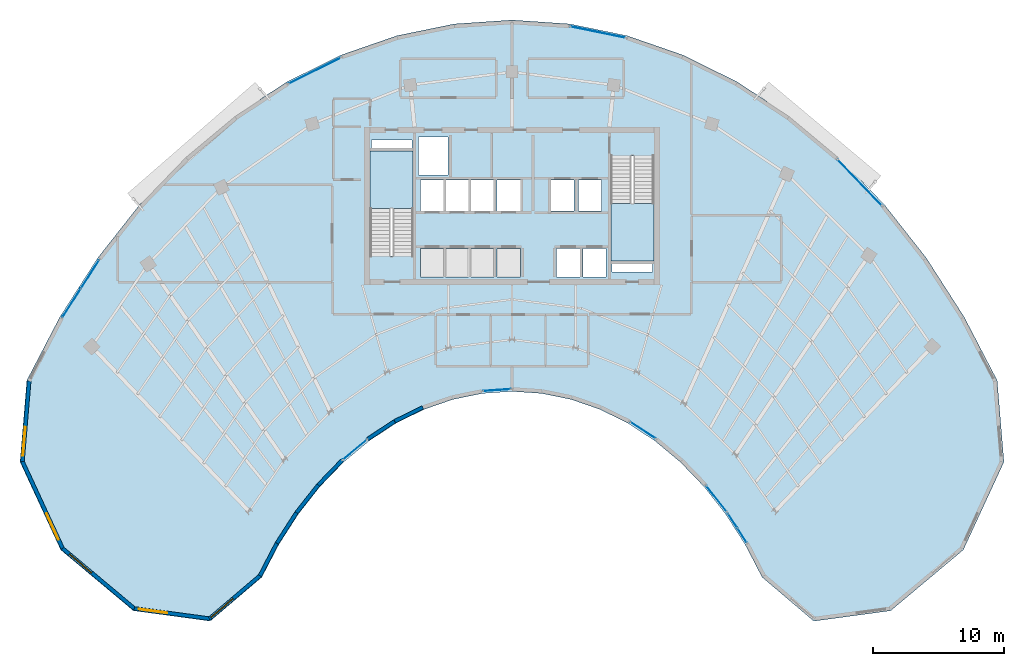
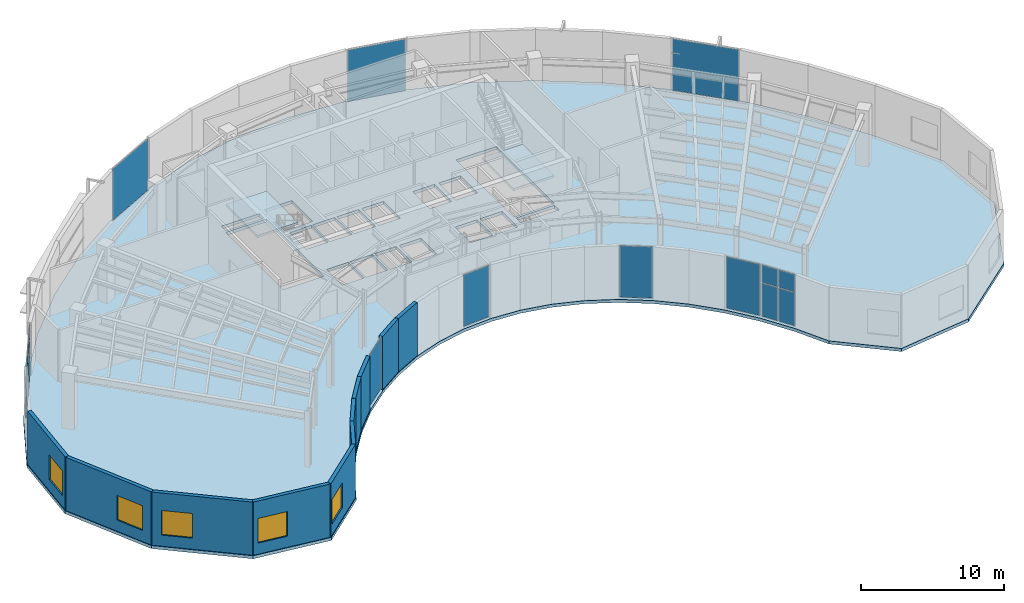
# One storey, part 7 of 15: 15 plates, 11 walls, 5 windows, 3 slabs, 5 openings, 11 elements without a shape of their own.
"""IFC4 building model written with IfcOpenShell, lengths in metres."""

from ifc_helpers import new_model, si_unit, direction, frame, frame_2d, origin, origin_2d, place, context, subcontext, project, spatial, polyline, rectangle, outline, extrude, source, transform, mapped, material, layer, layer_set, type_object, type_shapes, element, fill, aggregate, save


model = new_model("IFC4")

# Units and contexts
model_context = context("Model", 3, precision=1e-05, world=origin(), true_north=direction((0.0, 1.0)))
body_context = subcontext(model_context, "Body", "Model", "MODEL_VIEW")
ifc_project = project(units=[si_unit("LENGTHUNIT", "METRE"), si_unit("AREAUNIT", "SQUARE_METRE"), si_unit("VOLUMEUNIT", "CUBIC_METRE"), si_unit("PLANEANGLEUNIT", "RADIAN"), si_unit("MASSUNIT", "GRAM", prefix="KILO")], contexts=[model_context])

# Site, building, storey
site_placement = place(None, origin())
site = spatial("IfcSite", under=ifc_project, at=site_placement, CompositionType="ELEMENT")
building_placement = place(site_placement, origin())
building = spatial("IfcBuilding", under=site, at=building_placement, Name="Breltana Convention Tower", CompositionType="ELEMENT")
storey_placement = place(building_placement, frame((0.0, 0.0, 199.199951171875)))
storey = spatial("IfcBuildingStorey", under=building, at=storey_placement, Name="L48", CompositionType="ELEMENT", Elevation=199.199951171875)

# Stair, slab
ifc_material_1 = material(Name="Concrete C40/50", Category="concrete")
stair_type = type_object("IfcStairType", Name="ST-DOG-1560-R171", PredefinedType="HALF_TURN_STAIR", material=ifc_material_1)
stair_1_placement = place(storey_placement, origin())
stair_1 = element("IfcStair", 1, at=stair_1_placement, inside=storey, type_object=stair_type, Name="L48 Protected Core Exit Stair ST-1", PredefinedType="HALF_TURN_STAIR")
ifc_layer_1 = layer(ifc_material_1, 0.199951171875, Name="Concrete C40/50")
ifc_layer_set_1 = layer_set([ifc_layer_1], Name="Concrete C40/50")
slab_type_1 = type_object("IfcSlabType", Name="SL-STAIR-LANDING-200", PredefinedType="LANDING", material=ifc_layer_set_1)
slab_1_placement = place(storey_placement, frame((0.0, 0.0, 2.199951171875)))
slab_1 = element("IfcSlab", 2, at=slab_1_placement, type_object=slab_type_1, Name="ST-1 landing 1", PredefinedType="LANDING", context=body_context, shape_type="SweptSolid", body=[
    extrude(outline(polyline([(40.469970703125, 66.0), (40.469970703125, 70.39990234375), (37.199951171875, 70.39990234375), (37.199951171875, 66.0), (40.469970703125, 66.0)])), origin(), (0.0, 0.0, 1.0), 0.2001953125),
])
aggregate(stair_1, [slab_1])

stair_2_placement = place(storey_placement, origin())
stair_2 = element("IfcStair", 3, at=stair_2_placement, inside=storey, type_object=stair_type, Name="L48 Protected Core Exit Stair ST-2", PredefinedType="HALF_TURN_STAIR")
slab_2_placement = place(storey_placement, frame((0.0, 0.0, 2.199951171875)))
slab_2 = element("IfcSlab", 4, at=slab_2_placement, type_object=slab_type_1, Name="ST-2 landing 1", PredefinedType="LANDING", context=body_context, shape_type="SweptSolid", body=[
    extrude(outline(polyline([(55.530029296875, 66.39990234375), (55.530029296875, 62.0), (58.800048828125, 62.0), (58.800048828125, 66.39990234375), (55.530029296875, 66.39990234375)])), origin(), (0.0, 0.0, 1.0), 0.2001953125),
])
aggregate(stair_2, [slab_2])

# Slab
ifc_layer_2 = layer(ifc_material_1, 0.260009765625, Name="Concrete C40/50")
ifc_layer_set_2 = layer_set([ifc_layer_2], Name="Concrete C40/50")
slab_type_2 = type_object("IfcSlabType", Name="SL-UPP-260", PredefinedType="FLOOR", material=ifc_layer_set_2)
slab_3_placement = place(storey_placement, frame((0.0, 0.0, -0.260009765625)))
element("IfcSlab", 5, at=slab_3_placement, inside=storey, type_object=slab_type_2, Name="L48 Suspended Structural Floor Slab", PredefinedType="FLOOR", context=body_context, shape_type="SweptSolid", body=[
    extrude(outline(polyline([(84.9326171875, 52.924560546875), (82.411376953125, 57.767333984375), (79.53759765625, 62.244140625), (76.34130859375, 66.308837890625), (72.8544921875, 69.919921875), (69.113525390625, 73.040283203125), (65.15625, 75.637939453125), (61.023193359375, 77.6865234375), (56.7568359375, 79.1650390625), (52.40087890625, 80.058349609375), (48.0, 80.35693359375), (43.59912109375, 80.058349609375), (39.2431640625, 79.1650390625), (34.976806640625, 77.6865234375), (30.84375, 75.637939453125), (26.886474609375, 73.040283203125), (23.1455078125, 69.919921875), (19.65869140625, 66.308837890625), (16.46240234375, 62.244140625), (13.588623046875, 57.767333984375), (11.0673828125, 52.924560546875), (10.548583984375, 46.716796875), (13.645263671875, 40.0185546875), (19.1748046875, 35.388427734375), (25.02490234375, 34.59521484375), (28.961181640625, 37.941650390625), (30.260986328125, 40.43798828125), (31.7421875, 42.745849609375), (33.39013671875, 44.84130859375), (35.1875, 46.70263671875), (37.115966796875, 48.311279296875), (39.156005859375, 49.650390625), (41.28662109375, 50.706298828125), (43.48583984375, 51.468505859375), (45.731201171875, 51.928955078125), (48.0, 52.0830078125), (50.268798828125, 51.928955078125), (52.51416015625, 51.468505859375), (54.71337890625, 50.706298828125), (56.843994140625, 49.650390625), (58.884033203125, 48.311279296875), (60.8125, 46.70263671875), (62.60986328125, 44.84130859375), (64.2578125, 42.745849609375), (65.739013671875, 40.43798828125), (67.038818359375, 37.941650390625), (70.97509765625, 34.59521484375), (76.8251953125, 35.388427734375), (82.354736328125, 40.0185546875), (85.451416015625, 46.716796875), (84.9326171875, 52.924560546875)]), holes=[polyline([(37.199951171875, 62.385009765625), (40.469970703125, 62.385009765625), (40.469970703125, 70.39990234375), (37.199951171875, 70.39990234375), (37.199951171875, 62.385009765625)]), polyline([(55.530029296875, 62.0), (58.800048828125, 62.0), (58.800048828125, 70.014892578125), (55.530029296875, 70.014892578125), (55.530029296875, 62.0)]), polyline([(41.0400390625, 60.800048828125), (42.800048828125, 60.800048828125), (42.800048828125, 62.97998046875), (41.0400390625, 62.97998046875), (41.0400390625, 60.800048828125)]), polyline([(42.93994140625, 60.800048828125), (44.699951171875, 60.800048828125), (44.699951171875, 62.97998046875), (42.93994140625, 62.97998046875), (42.93994140625, 60.800048828125)]), polyline([(44.8701171875, 60.800048828125), (46.6298828125, 60.800048828125), (46.6298828125, 62.97998046875), (44.8701171875, 62.97998046875), (44.8701171875, 60.800048828125)]), polyline([(46.8701171875, 60.800048828125), (48.6298828125, 60.800048828125), (48.6298828125, 62.97998046875), (46.8701171875, 62.97998046875), (46.8701171875, 60.800048828125)]), polyline([(51.39990234375, 60.800048828125), (53.159912109375, 60.800048828125), (53.159912109375, 62.97998046875), (51.39990234375, 62.97998046875), (51.39990234375, 60.800048828125)]), polyline([(53.39990234375, 60.800048828125), (55.159912109375, 60.800048828125), (55.159912109375, 62.97998046875), (53.39990234375, 62.97998046875), (53.39990234375, 60.800048828125)]), polyline([(41.0400390625, 65.820068359375), (42.800048828125, 65.820068359375), (42.800048828125, 68.179931640625), (41.0400390625, 68.179931640625), (41.0400390625, 65.820068359375)]), polyline([(42.93994140625, 65.820068359375), (44.699951171875, 65.820068359375), (44.699951171875, 68.179931640625), (42.93994140625, 68.179931640625), (42.93994140625, 65.820068359375)]), polyline([(44.8701171875, 65.820068359375), (46.6298828125, 65.820068359375), (46.6298828125, 68.179931640625), (44.8701171875, 68.179931640625), (44.8701171875, 65.820068359375)]), polyline([(46.8701171875, 65.820068359375), (48.6298828125, 65.820068359375), (48.6298828125, 68.179931640625), (46.8701171875, 68.179931640625), (46.8701171875, 65.820068359375)]), polyline([(50.969970703125, 65.800048828125), (52.72998046875, 65.800048828125), (52.72998046875, 68.179931640625), (50.969970703125, 68.179931640625), (50.969970703125, 65.800048828125)]), polyline([(53.070068359375, 65.800048828125), (54.830078125, 65.800048828125), (54.830078125, 68.179931640625), (53.070068359375, 68.179931640625), (53.070068359375, 65.800048828125)]), polyline([(40.8798828125, 68.550048828125), (43.1201171875, 68.550048828125), (43.1201171875, 71.449951171875), (40.8798828125, 71.449951171875), (40.8798828125, 68.550048828125)]), polyline([(37.300048828125, 70.60009765625), (40.3798828125, 70.60009765625), (40.3798828125, 71.219970703125), (37.300048828125, 71.219970703125), (37.300048828125, 70.60009765625)]), polyline([(55.6201171875, 61.179931640625), (58.699951171875, 61.179931640625), (58.699951171875, 61.800048828125), (55.6201171875, 61.800048828125), (55.6201171875, 61.179931640625)])]), origin(), (0.0, 0.0, 1.0), 0.260009765625),
])

# Curtain wall, plates
ifc_material_2 = material(Name="Aluminium Anodised Bronze Frame", Category="aluminium")
ifc_layer_3 = layer(ifc_material_2, 0.18994140625, Name="Aluminium Anodised Bronze Frame")
ifc_layer_set_3 = layer_set([ifc_layer_3], Name="Aluminium Anodised Bronze Frame")
curtain_wall_type_1 = type_object("IfcCurtainWallType", Name="CW-SYS-1", PredefinedType="NOTDEFINED", material=ifc_layer_set_3)
curtain_wall_1_placement = place(storey_placement, origin())
curtain_wall_1 = element("IfcCurtainWall", 6, at=curtain_wall_1_placement, inside=storey, type_object=curtain_wall_type_1, Name="L48 inner south-court glazing 1", PredefinedType="NOTDEFINED")
ifc_material_3 = material(Name="Glass Low-E Double Glazing", Category="glass")
ifc_layer_4 = layer(ifc_material_3, 0.028076171875, Name="Glass Low-E Double Glazing")
ifc_layer_set_4 = layer_set([ifc_layer_4], Name="Glass Low-E Double Glazing")
plate_type_1 = type_object("IfcPlateType", Name="CWP-IGU-28", PredefinedType="CURTAIN_PANEL", material=ifc_layer_set_4)
shared_shape_1 = source(origin(), body_context, "Body", "SweptSolid", [
    extrude(rectangle(XDim=1.251220703125, YDim=0.028076171875, at=origin_2d()), origin(), (0.0, 0.0, 1.0), 2.8310546875),
])
plate_1_placement = place(storey_placement, frame((65.50927734375, 41.129150390625, 0.080078125), z_axis=(0.0, 0.0, 1.0), x_axis=(-0.540184263938, 0.841546766968, 0.0)))
plate_1 = element("IfcPlate", 7, at=plate_1_placement, type_object=plate_type_1, Name="CW-01 panel 1.1", PredefinedType="CURTAIN_PANEL", context=body_context, shape_type="MappedRepresentation", body=[
    mapped(shared_shape_1, transform((0.0, 0.0, 0.0), scale=1.0)),
])
plate_2_placement = place(storey_placement, frame((64.790283203125, 42.249267578125, 0.080078125), z_axis=(0.0, 0.0, 1.0), x_axis=(-0.540184263938, 0.841546766968, 0.0)))
plate_2 = element("IfcPlate", 8, at=plate_2_placement, type_object=plate_type_1, Name="CW-01 panel 2.1", PredefinedType="CURTAIN_PANEL", context=body_context, shape_type="MappedRepresentation", body=[
    mapped(shared_shape_1, transform((0.0, 0.0, 0.0), scale=1.0)),
])
shared_shape_2 = source(origin(), body_context, "Body", "SweptSolid", [
    extrude(rectangle(XDim=1.251220703125, YDim=0.028076171875, at=origin_2d()), origin(), (0.0, 0.0, 1.0), 1.468994140625),
])
plate_3_placement = place(storey_placement, frame((65.50927734375, 41.129150390625, 2.9912109375), z_axis=(0.0, 0.0, 1.0), x_axis=(-0.540184263938, 0.841546766968, 0.0)))
plate_3 = element("IfcPlate", 9, at=plate_3_placement, type_object=plate_type_1, Name="CW-01 panel 1.2", PredefinedType="CURTAIN_PANEL", context=body_context, shape_type="MappedRepresentation", body=[
    mapped(shared_shape_2, transform((0.0, 0.0, 0.0), scale=1.0)),
])
plate_4_placement = place(storey_placement, frame((64.790283203125, 42.249267578125, 2.9912109375), z_axis=(0.0, 0.0, 1.0), x_axis=(-0.540184263938, 0.841546766968, 0.0)))
plate_4 = element("IfcPlate", 10, at=plate_4_placement, type_object=plate_type_1, Name="CW-01 panel 2.2", PredefinedType="CURTAIN_PANEL", context=body_context, shape_type="MappedRepresentation", body=[
    mapped(shared_shape_2, transform((0.0, 0.0, 0.0), scale=1.0)),
])
aggregate(curtain_wall_1, [plate_1, plate_3, plate_2, plate_4])

# Curtain wall, plate
curtain_wall_2_placement = place(storey_placement, origin())
curtain_wall_2 = element("IfcCurtainWall", 11, at=curtain_wall_2_placement, inside=storey, type_object=curtain_wall_type_1, Name="L48 inner south-court glazing 2", PredefinedType="NOTDEFINED")
shared_shape_3 = source(origin(), body_context, "Body", "SweptSolid", [
    extrude(rectangle(XDim=2.505615234375, YDim=0.028076171875, at=origin_2d()), origin(), (0.0, 0.0, 1.0), 4.3798828125),
])
plate_5_placement = place(storey_placement, frame((63.5751953125, 43.90478515625, 0.080078125), z_axis=(0.0, 0.0, 1.0), x_axis=(-0.6181495353, 0.786060526937, 0.0)))
plate_5 = element("IfcPlate", 12, at=plate_5_placement, type_object=plate_type_1, Name="CW-01 panel 1.1", PredefinedType="CURTAIN_PANEL", context=body_context, shape_type="MappedRepresentation", body=[
    mapped(shared_shape_3, transform((0.0, 0.0, 0.0), scale=1.0)),
])
aggregate(curtain_wall_2, [plate_5])

curtain_wall_3_placement = place(storey_placement, origin())
curtain_wall_3 = element("IfcCurtainWall", 13, at=curtain_wall_3_placement, inside=storey, type_object=curtain_wall_type_1, Name="L48 inner south-court glazing 3", PredefinedType="NOTDEFINED")
shared_shape_4 = source(origin(), body_context, "Body", "SweptSolid", [
    extrude(rectangle(XDim=2.2802734375, YDim=0.028076171875, at=origin_2d()), origin(), (0.0, 0.0, 1.0), 4.3798828125),
])
plate_6_placement = place(storey_placement, frame((57.962890625, 49.13134765625, 0.080078125), z_axis=(0.0, 0.0, 1.0), x_axis=(-0.835982113821, 0.548756690502, 0.0)))
plate_6 = element("IfcPlate", 14, at=plate_6_placement, type_object=plate_type_1, Name="CW-01 panel 1.1", PredefinedType="CURTAIN_PANEL", context=body_context, shape_type="MappedRepresentation", body=[
    mapped(shared_shape_4, transform((0.0, 0.0, 0.0), scale=1.0)),
])
aggregate(curtain_wall_3, [plate_6])

curtain_wall_4_placement = place(storey_placement, origin())
curtain_wall_4 = element("IfcCurtainWall", 15, at=curtain_wall_4_placement, inside=storey, type_object=curtain_wall_type_1, Name="L48 inner south-court glazing 4", PredefinedType="NOTDEFINED")
shared_shape_5 = source(origin(), body_context, "Body", "SweptSolid", [
    extrude(rectangle(XDim=2.114013671875, YDim=0.028076171875, at=origin_2d()), origin(), (0.0, 0.0, 1.0), 4.3798828125),
])
plate_7_placement = place(storey_placement, frame((46.853515625, 52.185546875, 0.080078125), z_axis=(0.0, 0.0, 1.0), x_axis=(-0.997704064785, -0.067724435121, 0.0)))
plate_7 = element("IfcPlate", 16, at=plate_7_placement, type_object=plate_type_1, Name="CW-01 panel 1.1", PredefinedType="CURTAIN_PANEL", context=body_context, shape_type="MappedRepresentation", body=[
    mapped(shared_shape_5, transform((0.0, 0.0, 0.0), scale=1.0)),
])
aggregate(curtain_wall_4, [plate_7])

curtain_wall_5_placement = place(storey_placement, origin())
curtain_wall_5 = element("IfcCurtainWall", 17, at=curtain_wall_5_placement, inside=storey, type_object=curtain_wall_type_1, Name="L48 inner south-court glazing 5", PredefinedType="NOTDEFINED")
shared_shape_6 = source(origin(), body_context, "Body", "SweptSolid", [
    extrude(rectangle(XDim=2.351318359375, YDim=0.028076171875, at=origin_2d()), origin(), (0.0, 0.0, 1.0), 4.3798828125),
])
plate_8_placement = place(storey_placement, frame((36.036376953125, 47.64501953125, 0.080078125), z_axis=(0.0, 0.0, 1.0), x_axis=(-0.767924180628, -0.640540750309, 0.0)))
plate_8 = element("IfcPlate", 18, at=plate_8_placement, type_object=plate_type_1, Name="CW-01 panel 1.1", PredefinedType="CURTAIN_PANEL", context=body_context, shape_type="MappedRepresentation", body=[
    mapped(shared_shape_6, transform((0.0, 0.0, 0.0), scale=1.0)),
])
aggregate(curtain_wall_5, [plate_8])

# Curtain wall, plates
ifc_layer_5 = layer(ifc_material_2, 0.239990234375, Name="Aluminium Anodised Bronze Frame")
ifc_layer_set_5 = layer_set([ifc_layer_5], Name="Aluminium Anodised Bronze Frame")
curtain_wall_type_2 = type_object("IfcCurtainWallType", Name="CW-SYS-6", PredefinedType="NOTDEFINED", material=ifc_layer_set_5)
curtain_wall_6_placement = place(storey_placement, origin())
curtain_wall_6 = element("IfcCurtainWall", 19, at=curtain_wall_6_placement, inside=storey, type_object=curtain_wall_type_2, Name="L48 outer double-skin inner glazing 1", PredefinedType="NOTDEFINED")
ifc_layer_6 = layer(ifc_material_3, 0.035888671875, Name="Glass Low-E Double Glazing")
ifc_layer_set_6 = layer_set([ifc_layer_6], Name="Glass Low-E Double Glazing")
plate_type_2 = type_object("IfcPlateType", Name="CWP-IGU-36", PredefinedType="CURTAIN_PANEL", material=ifc_layer_set_6)
shared_shape_7 = source(origin(), body_context, "Body", "SweptSolid", [
    extrude(rectangle(XDim=2.531494140625, YDim=0.035888671875, at=origin_2d()), origin(), (0.0, 0.0, 1.0), 2.8310546875),
])
plate_9_placement = place(storey_placement, frame((14.471435546875, 58.8095703125, 0.080078125), z_axis=(0.0, 0.0, 1.0), x_axis=(0.540181791075, 0.84154835428, 0.0)))
plate_9 = element("IfcPlate", 20, at=plate_9_placement, type_object=plate_type_2, Name="CW-06 panel 1.1", PredefinedType="CURTAIN_PANEL", context=body_context, shape_type="MappedRepresentation", body=[
    mapped(shared_shape_7, transform((0.0, 0.0, 0.0), scale=1.0)),
])
plate_10_placement = place(storey_placement, frame((15.882080078125, 61.007080078125, 0.080078125), z_axis=(0.0, 0.0, 1.0), x_axis=(0.540181791075, 0.84154835428, 0.0)))
plate_10 = element("IfcPlate", 21, at=plate_10_placement, type_object=plate_type_2, Name="CW-06 panel 2.1", PredefinedType="CURTAIN_PANEL", context=body_context, shape_type="MappedRepresentation", body=[
    mapped(shared_shape_7, transform((0.0, 0.0, 0.0), scale=1.0)),
])
shared_shape_8 = source(origin(), body_context, "Body", "SweptSolid", [
    extrude(rectangle(XDim=2.531494140625, YDim=0.035888671875, at=origin_2d()), origin(), (0.0, 0.0, 1.0), 1.468994140625),
])
plate_11_placement = place(storey_placement, frame((14.471435546875, 58.8095703125, 2.9912109375), z_axis=(0.0, 0.0, 1.0), x_axis=(0.540181791075, 0.84154835428, 0.0)))
plate_11 = element("IfcPlate", 22, at=plate_11_placement, type_object=plate_type_2, Name="CW-06 panel 1.2", PredefinedType="CURTAIN_PANEL", context=body_context, shape_type="MappedRepresentation", body=[
    mapped(shared_shape_8, transform((0.0, 0.0, 0.0), scale=1.0)),
])
plate_12_placement = place(storey_placement, frame((15.882080078125, 61.007080078125, 2.9912109375), z_axis=(0.0, 0.0, 1.0), x_axis=(0.540181791075, 0.84154835428, 0.0)))
plate_12 = element("IfcPlate", 23, at=plate_12_placement, type_object=plate_type_2, Name="CW-06 panel 2.2", PredefinedType="CURTAIN_PANEL", context=body_context, shape_type="MappedRepresentation", body=[
    mapped(shared_shape_8, transform((0.0, 0.0, 0.0), scale=1.0)),
])
aggregate(curtain_wall_6, [plate_9, plate_11, plate_10, plate_12])

# Curtain wall, plate
curtain_wall_7_placement = place(storey_placement, origin())
curtain_wall_7 = element("IfcCurtainWall", 24, at=curtain_wall_7_placement, inside=storey, type_object=curtain_wall_type_2, Name="L48 outer double-skin inner glazing 2", PredefinedType="NOTDEFINED")
shared_shape_9 = source(origin(), body_context, "Body", "SweptSolid", [
    extrude(rectangle(XDim=4.430419921875, YDim=0.035888671875, at=origin_2d()), origin(), (0.0, 0.0, 1.0), 4.3798828125),
])
plate_13_placement = place(storey_placement, frame((32.989990234375, 76.5009765625, 0.080078125), z_axis=(0.0, 0.0, 1.0), x_axis=(0.895972827235, 0.444108875003, 0.0)))
plate_13 = element("IfcPlate", 25, at=plate_13_placement, type_object=plate_type_2, Name="CW-06 panel 1.1", PredefinedType="CURTAIN_PANEL", context=body_context, shape_type="MappedRepresentation", body=[
    mapped(shared_shape_9, transform((0.0, 0.0, 0.0), scale=1.0)),
])
aggregate(curtain_wall_7, [plate_13])

curtain_wall_8_placement = place(storey_placement, origin())
curtain_wall_8 = element("IfcCurtainWall", 26, at=curtain_wall_8_placement, inside=storey, type_object=curtain_wall_type_2, Name="L48 outer double-skin inner glazing 3", PredefinedType="NOTDEFINED")
shared_shape_10 = source(origin(), body_context, "Body", "SweptSolid", [
    extrude(rectangle(XDim=4.262451171875, YDim=0.035888671875, at=origin_2d()), origin(), (0.0, 0.0, 1.0), 4.3798828125),
])
plate_14_placement = place(storey_placement, frame((54.54296875, 79.435302734375, 0.080078125), z_axis=(0.0, 0.0, 1.0), x_axis=(0.979615937236, -0.200879604523, 0.0)))
plate_14 = element("IfcPlate", 27, at=plate_14_placement, type_object=plate_type_2, Name="CW-06 panel 1.1", PredefinedType="CURTAIN_PANEL", context=body_context, shape_type="MappedRepresentation", body=[
    mapped(shared_shape_10, transform((0.0, 0.0, 0.0), scale=1.0)),
])
aggregate(curtain_wall_8, [plate_14])

curtain_wall_9_placement = place(storey_placement, origin())
curtain_wall_9 = element("IfcCurtainWall", 28, at=curtain_wall_9_placement, inside=storey, type_object=curtain_wall_type_2, Name="L48 outer double-skin inner glazing 4", PredefinedType="NOTDEFINED")
shared_shape_11 = source(origin(), body_context, "Body", "SweptSolid", [
    extrude(rectangle(XDim=4.8408203125, YDim=0.035888671875, at=origin_2d()), origin(), (0.0, 0.0, 1.0), 4.3798828125),
])
plate_15_placement = place(storey_placement, frame((74.46875, 67.989013671875, 0.080078125), z_axis=(0.0, 0.0, 1.0), x_axis=(0.694599866751, -0.719396292115, 0.0)))
plate_15 = element("IfcPlate", 29, at=plate_15_placement, type_object=plate_type_2, Name="CW-06 panel 1.1", PredefinedType="CURTAIN_PANEL", context=body_context, shape_type="MappedRepresentation", body=[
    mapped(shared_shape_11, transform((0.0, 0.0, 0.0), scale=1.0)),
])
aggregate(curtain_wall_9, [plate_15])

# Wall, opening, window
ifc_material_4 = material(Name="Limestone Buff Insulated Wall", Category="masonry")
ifc_layer_7 = layer(ifc_material_4, 0.280029296875, Name="Limestone Buff Insulated Wall")
ifc_layer_set_7 = layer_set([ifc_layer_7], Name="Limestone Buff Insulated Wall")
wall_type = type_object("IfcWallType", Name="WL-EXT-NOSE-280", PredefinedType="SOLIDWALL", material=ifc_layer_set_7)
shared_shape_12 = source(origin(), body_context, "Body", "SweptSolid", [
    extrude(rectangle(XDim=6.145751953125, YDim=0.280029296875, at=frame_2d((3.07275390625, 0.0))), origin(), (0.0, 0.0, 1.0), 4.5400390625),
])
wall_1_placement = place(storey_placement, frame((10.73193359375, 46.7490234375, 0.0), z_axis=(0.0, 0.0, 1.0), x_axis=(0.083301904456, 0.996524356307, 0.0)))
wall_1 = element("IfcWall", 30, at=wall_1_placement, inside=storey, type_object=wall_type, Name="L48 curved limestone nose wall W6", PredefinedType="SOLIDWALL", context=body_context, shape_type="MappedRepresentation", body=[
    mapped(shared_shape_12, transform((0.0, 0.0, 0.0), scale=1.0)),
])
opening_1_placement = place(wall_1_placement, frame((0.436279296875, 0.0, 0.949951171875)))
opening_1 = element("IfcOpeningElement", 31, at=opening_1_placement, cuts=wall_1, Name="Opening W-03", PredefinedType="OPENING", context=body_context, shape_type="SweptSolid", body=[
    extrude(rectangle(XDim=2.199951171875, YDim=2.10009765625, at=frame_2d((1.10009765625, 1.050048828125))), frame((0.0, 0.14990234375, 0.0), z_axis=(0.0, -1.0, 0.0), x_axis=(1.0, 0.0, 0.0)), (0.0, 0.0, 1.0), 0.300048828125),
])
ifc_material_5 = material(Name="Glass Low-E Insulated Window", Category="glass")
window_type = type_object("IfcWindowType", Name="WN-NOSE-2200X2100", PartitioningType="TRIPLE_PANEL_VERTICAL", PredefinedType="WINDOW", material=ifc_material_5)
shared_shape_13 = source(origin(), body_context, "Body", "SweptSolid", [
    extrude(rectangle(XDim=2.199951171875, YDim=2.10009765625, at=frame_2d((1.10009765625, 1.050048828125))), frame((0.0, 0.030029296875, 0.0), z_axis=(0.0, -1.0, 0.0), x_axis=(1.0, 0.0, 0.0)), (0.0, 0.0, 1.0), 0.06005859375),
])
type_shapes(window_type, [shared_shape_13])
window_1_placement = place(opening_1_placement, origin())
window_1 = element("IfcWindow", 32, at=window_1_placement, inside=storey, type_object=window_type, Name="L48 nose window W6", OverallHeight=2.10009765625, OverallWidth=2.199951171875, PartitioningType="TRIPLE_PANEL_VERTICAL", PredefinedType="WINDOW", context=body_context, shape_type="MappedRepresentation", body=[
    mapped(shared_shape_13, transform((0.0, 0.0, 0.0), scale=1.0)),
])
fill(opening_1, window_1)

shared_shape_14 = source(origin(), body_context, "Body", "SweptSolid", [
    extrude(rectangle(XDim=7.29150390625, YDim=0.280029296875, at=frame_2d((3.645751953125, 0.0))), origin(), (0.0, 0.0, 1.0), 4.5400390625),
])
wall_2_placement = place(storey_placement, frame((13.791748046875, 40.130615234375, 0.0), z_axis=(0.0, 0.0, 1.0), x_axis=(-0.419642001049, 0.907689699708, 0.0)))
wall_2 = element("IfcWall", 33, at=wall_2_placement, inside=storey, type_object=wall_type, Name="L48 curved limestone nose wall W5", PredefinedType="SOLIDWALL", context=body_context, shape_type="MappedRepresentation", body=[
    mapped(shared_shape_14, transform((0.0, 0.0, 0.0), scale=1.0)),
])
opening_2_placement = place(wall_2_placement, frame((0.722900390625, 0.0, 0.949951171875)))
opening_2 = element("IfcOpeningElement", 34, at=opening_2_placement, cuts=wall_2, Name="Opening W-03", PredefinedType="OPENING", context=body_context, shape_type="SweptSolid", body=[
    extrude(rectangle(XDim=2.199951171875, YDim=2.10009765625, at=frame_2d((1.10009765625, 1.050048828125))), frame((0.0, 0.14990234375, 0.0), z_axis=(0.0, -1.0, 0.0), x_axis=(1.0, 0.0, 0.0)), (0.0, 0.0, 1.0), 0.300048828125),
])
window_2_placement = place(opening_2_placement, origin())
window_2 = element("IfcWindow", 35, at=window_2_placement, inside=storey, type_object=window_type, Name="L48 nose window W5", OverallHeight=2.10009765625, OverallWidth=2.199951171875, PartitioningType="TRIPLE_PANEL_VERTICAL", PredefinedType="WINDOW", context=body_context, shape_type="MappedRepresentation", body=[
    mapped(shared_shape_13, transform((0.0, 0.0, 0.0), scale=1.0)),
])
fill(opening_2, window_2)

shared_shape_15 = source(origin(), body_context, "Body", "SweptSolid", [
    extrude(rectangle(XDim=7.11962890625, YDim=0.280029296875, at=frame_2d((3.559814453125, 0.0))), origin(), (0.0, 0.0, 1.0), 4.5400390625),
])
wall_3_placement = place(storey_placement, frame((19.25048828125, 35.559814453125, 0.0), z_axis=(0.0, 0.0, 1.0), x_axis=(-0.766709783564, 0.641993853387, 0.0)))
wall_3 = element("IfcWall", 36, at=wall_3_placement, inside=storey, type_object=wall_type, Name="L48 curved limestone nose wall W4", PredefinedType="SOLIDWALL", context=body_context, shape_type="MappedRepresentation", body=[
    mapped(shared_shape_15, transform((0.0, 0.0, 0.0), scale=1.0)),
])
opening_3_placement = place(wall_3_placement, frame((4.23974609375, 0.0, 0.949951171875)))
opening_3 = element("IfcOpeningElement", 37, at=opening_3_placement, cuts=wall_3, Name="Opening W-03", PredefinedType="OPENING", context=body_context, shape_type="SweptSolid", body=[
    extrude(rectangle(XDim=2.199951171875, YDim=2.10009765625, at=frame_2d((1.10009765625, 1.050048828125))), frame((0.0, 0.14990234375, 0.0), z_axis=(0.0, -1.0, 0.0), x_axis=(1.0, 0.0, 0.0)), (0.0, 0.0, 1.0), 0.300048828125),
])
window_3_placement = place(opening_3_placement, origin())
window_3 = element("IfcWindow", 38, at=window_3_placement, inside=storey, type_object=window_type, Name="L48 nose window W4", OverallHeight=2.10009765625, OverallWidth=2.199951171875, PartitioningType="TRIPLE_PANEL_VERTICAL", PredefinedType="WINDOW", context=body_context, shape_type="MappedRepresentation", body=[
    mapped(shared_shape_13, transform((0.0, 0.0, 0.0), scale=1.0)),
])
fill(opening_3, window_3)

shared_shape_16 = source(origin(), body_context, "Body", "SweptSolid", [
    extrude(rectangle(XDim=5.771240234375, YDim=0.280029296875, at=frame_2d((2.8857421875, 0.0))), origin(), (0.0, 0.0, 1.0), 4.5400390625),
])
wall_4_placement = place(storey_placement, frame((24.969482421875, 34.784423828125, 0.0), z_axis=(0.0, 0.0, 1.0), x_axis=(-0.990933615537, 0.134352408237, 0.0)))
wall_4 = element("IfcWall", 39, at=wall_4_placement, inside=storey, type_object=wall_type, Name="L48 curved limestone nose wall W3", PredefinedType="SOLIDWALL", context=body_context, shape_type="MappedRepresentation", body=[
    mapped(shared_shape_16, transform((0.0, 0.0, 0.0), scale=1.0)),
])
opening_4_placement = place(wall_4_placement, frame((3.228759765625, 0.0, 0.949951171875)))
opening_4 = element("IfcOpeningElement", 40, at=opening_4_placement, cuts=wall_4, Name="Opening W-03", PredefinedType="OPENING", context=body_context, shape_type="SweptSolid", body=[
    extrude(rectangle(XDim=2.199951171875, YDim=2.10009765625, at=frame_2d((1.10009765625, 1.050048828125))), frame((0.0, 0.14990234375, 0.0), z_axis=(0.0, -1.0, 0.0), x_axis=(1.0, 0.0, 0.0)), (0.0, 0.0, 1.0), 0.300048828125),
])
window_4_placement = place(opening_4_placement, origin())
window_4 = element("IfcWindow", 41, at=window_4_placement, inside=storey, type_object=window_type, Name="L48 nose window W3", OverallHeight=2.10009765625, OverallWidth=2.199951171875, PartitioningType="TRIPLE_PANEL_VERTICAL", PredefinedType="WINDOW", context=body_context, shape_type="MappedRepresentation", body=[
    mapped(shared_shape_13, transform((0.0, 0.0, 0.0), scale=1.0)),
])
fill(opening_4, window_4)

shared_shape_17 = source(origin(), body_context, "Body", "SweptSolid", [
    extrude(rectangle(XDim=5.051025390625, YDim=0.280029296875, at=frame_2d((2.525390625, 0.0))), origin(), (0.0, 0.0, 1.0), 4.5400390625),
])
wall_5_placement = place(storey_placement, frame((28.81787109375, 38.055908203125, 0.0), z_axis=(0.0, 0.0, 1.0), x_axis=(-0.761904731537, -0.647689107568, 0.0)))
wall_5 = element("IfcWall", 42, at=wall_5_placement, inside=storey, type_object=wall_type, Name="L48 curved limestone nose wall W2", PredefinedType="SOLIDWALL", context=body_context, shape_type="MappedRepresentation", body=[
    mapped(shared_shape_17, transform((0.0, 0.0, 0.0), scale=1.0)),
])
opening_5_placement = place(wall_5_placement, frame((2.688232421875, 0.0, 0.949951171875)))
opening_5 = element("IfcOpeningElement", 43, at=opening_5_placement, cuts=wall_5, Name="Opening W-03", PredefinedType="OPENING", context=body_context, shape_type="SweptSolid", body=[
    extrude(rectangle(XDim=2.199951171875, YDim=2.10009765625, at=frame_2d((1.10009765625, 1.050048828125))), frame((0.0, 0.14990234375, 0.0), z_axis=(0.0, -1.0, 0.0), x_axis=(1.0, 0.0, 0.0)), (0.0, 0.0, 1.0), 0.300048828125),
])
window_5_placement = place(opening_5_placement, origin())
window_5 = element("IfcWindow", 44, at=window_5_placement, inside=storey, type_object=window_type, Name="L48 nose window W2", OverallHeight=2.10009765625, OverallWidth=2.199951171875, PartitioningType="TRIPLE_PANEL_VERTICAL", PredefinedType="WINDOW", context=body_context, shape_type="MappedRepresentation", body=[
    mapped(shared_shape_13, transform((0.0, 0.0, 0.0), scale=1.0)),
])
fill(opening_5, window_5)

# Walls
shared_shape_18 = source(origin(), body_context, "Body", "SweptSolid", [
    extrude(rectangle(XDim=2.779296875, YDim=0.280029296875, at=frame_2d((1.3896484375, 0.0))), origin(), (0.0, 0.0, 1.0), 4.5400390625),
])
wall_6_placement = place(storey_placement, frame((30.101318359375, 40.521240234375, 0.0), z_axis=(0.0, 0.0, 1.0), x_axis=(-0.461770308601, -0.886999538948, 0.0)))
element("IfcWall", 45, at=wall_6_placement, inside=storey, type_object=wall_type, Name="L48 curved limestone nose wall W1", PredefinedType="SOLIDWALL", context=body_context, shape_type="MappedRepresentation", body=[
    mapped(shared_shape_18, transform((0.0, 0.0, 0.0), scale=1.0)),
])
shared_shape_19 = source(origin(), body_context, "Body", "SweptSolid", [
    extrude(rectangle(XDim=2.587646484375, YDim=0.280029296875, at=frame_2d((1.2939453125, 0.0))), origin(), (0.0, 0.0, 1.0), 4.5400390625),
])
wall_7_placement = place(storey_placement, frame((35.05810546875, 46.82763671875, 0.0), z_axis=(0.0, 0.0, 1.0), x_axis=(-0.694687114507, -0.719312041424, 0.0)))
element("IfcWall", 46, at=wall_7_placement, inside=storey, type_object=wall_type, Name="L48 curved limestone nose wall E17", PredefinedType="SOLIDWALL", context=body_context, shape_type="MappedRepresentation", body=[
    mapped(shared_shape_19, transform((0.0, 0.0, 0.0), scale=1.0)),
])
shared_shape_20 = source(origin(), body_context, "Body", "SweptSolid", [
    extrude(rectangle(XDim=2.377685546875, YDim=0.280029296875, at=frame_2d((1.18896484375, 0.0))), origin(), (0.0, 0.0, 1.0), 4.5400390625),
])
wall_8_placement = place(storey_placement, frame((41.20654296875, 50.86767578125, 0.0), z_axis=(0.0, 0.0, 1.0), x_axis=(-0.895941616831, -0.444171835252, 0.0)))
element("IfcWall", 47, at=wall_8_placement, inside=storey, type_object=wall_type, Name="L48 curved limestone nose wall E15", PredefinedType="SOLIDWALL", context=body_context, shape_type="MappedRepresentation", body=[
    mapped(shared_shape_20, transform((0.0, 0.0, 0.0), scale=1.0)),
])
shared_shape_21 = source(origin(), body_context, "Body", "SweptSolid", [
    extrude(rectangle(XDim=2.440185546875, YDim=0.280029296875, at=frame_2d((1.22021484375, 0.0))), origin(), (0.0, 0.0, 1.0), 4.5400390625),
])
wall_9_placement = place(storey_placement, frame((39.05712890625, 49.80078125, 0.0), z_axis=(0.0, 0.0, 1.0), x_axis=(-0.83598480459, -0.548752591333, 0.0)))
element("IfcWall", 48, at=wall_9_placement, inside=storey, type_object=wall_type, Name="L48 curved limestone nose wall E16", PredefinedType="SOLIDWALL", context=body_context, shape_type="MappedRepresentation", body=[
    mapped(shared_shape_21, transform((0.0, 0.0, 0.0), scale=1.0)),
])
shared_shape_22 = source(origin(), body_context, "Body", "SweptSolid", [
    extrude(rectangle(XDim=2.66552734375, YDim=0.280029296875, at=frame_2d((1.332763671875, 0.0))), origin(), (0.0, 0.0, 1.0), 4.5400390625),
])
wall_10_placement = place(storey_placement, frame((33.24853515625, 44.952392578125, 0.0), z_axis=(0.0, 0.0, 1.0), x_axis=(-0.618161284122, -0.786051287648, 0.0)))
element("IfcWall", 49, at=wall_10_placement, inside=storey, type_object=wall_type, Name="L48 curved limestone nose wall E18", PredefinedType="SOLIDWALL", context=body_context, shape_type="MappedRepresentation", body=[
    mapped(shared_shape_22, transform((0.0, 0.0, 0.0), scale=1.0)),
])
shared_shape_23 = source(origin(), body_context, "Body", "SweptSolid", [
    extrude(rectangle(XDim=2.7421875, YDim=0.280029296875, at=frame_2d((1.37109375, 0.0))), origin(), (0.0, 0.0, 1.0), 4.5400390625),
])
wall_11_placement = place(storey_placement, frame((31.5908203125, 42.843017578125, 0.0), z_axis=(0.0, 0.0, 1.0), x_axis=(-0.540172468355, -0.841554338371, 0.0)))
element("IfcWall", 50, at=wall_11_placement, inside=storey, type_object=wall_type, Name="L48 curved limestone nose wall E19", PredefinedType="SOLIDWALL", context=body_context, shape_type="MappedRepresentation", body=[
    mapped(shared_shape_23, transform((0.0, 0.0, 0.0), scale=1.0)),
])

save(model, "model.ifc")
